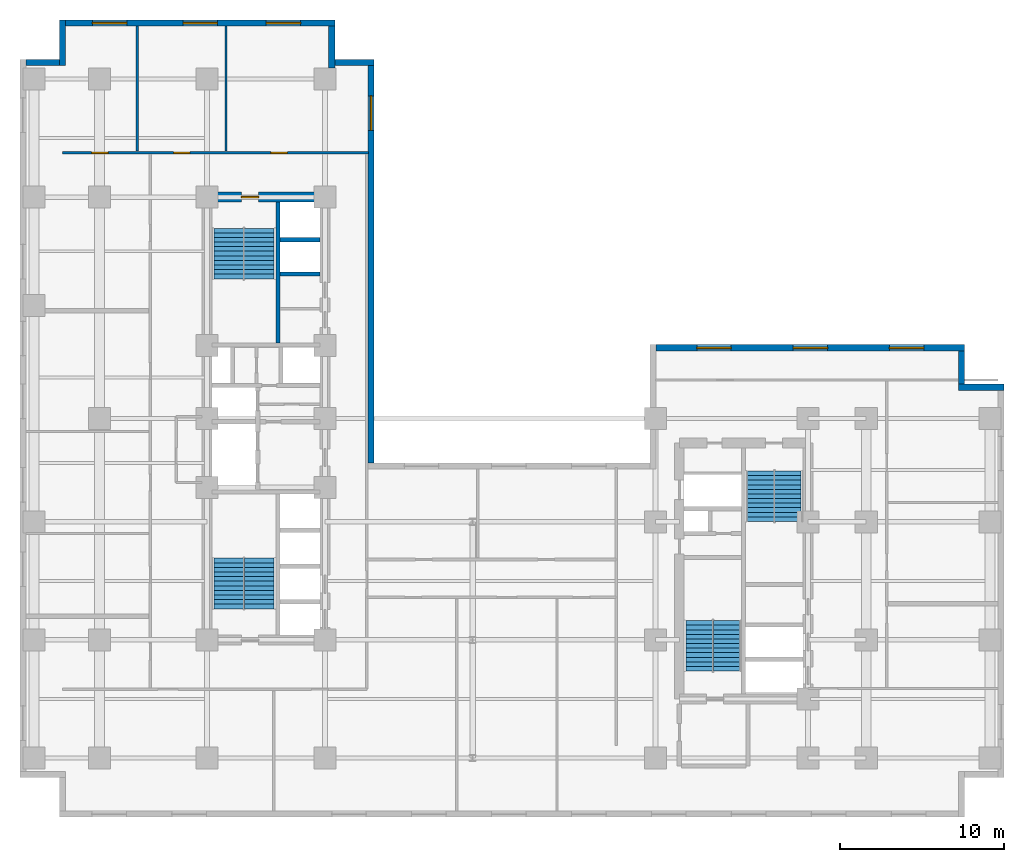
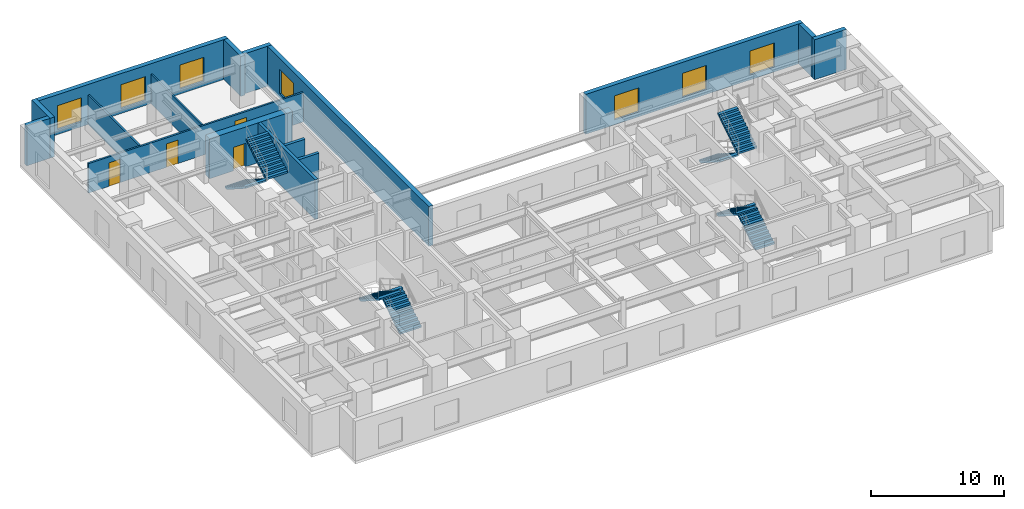
# One storey, part 6 of 9: 16 walls, 8 stair flights, 7 windows, 4 doors, 11 openings, 4 elements without a shape of their own.
"""IFC4 building model written with IfcOpenShell, lengths in metres."""

from ifc_helpers import new_model, entity, si_unit, converted_unit, direction, frame, origin_with_axes, origin_2d_with_axis, place, context, subcontext, project, spatial, polyline, rectangle, outline, extrude, material, layer, layer_set, type_object, element, fill, aggregate, save


model = new_model("IFC4")

# Units and contexts
model_context = context("Model", 3, precision=1e-05, world=origin_with_axes(), true_north=direction((0.0, 1.0)))
body_context = subcontext(model_context, "Body", "Model", "MODEL_VIEW")
ifc_project = project(units=[si_unit("LENGTHUNIT", "METRE"), si_unit("AREAUNIT", "SQUARE_METRE"), si_unit("VOLUMEUNIT", "CUBIC_METRE"), converted_unit("PLANEANGLEUNIT", "DEGREE", entity("IfcPlaneAngleMeasure", 0.017453292519943295), si_unit("PLANEANGLEUNIT", "RADIAN"), dimensions=[0, 0, 0, 0, 0, 0, 0]), si_unit("MASSUNIT", "GRAM", prefix="KILO"), si_unit("THERMODYNAMICTEMPERATUREUNIT", "KELVIN")], contexts=[model_context])

# Site, building, storey
site_placement = place(None, origin_with_axes())
site = spatial("IfcSite", under=ifc_project, at=site_placement, CompositionType="ELEMENT")
building_placement = place(site_placement, origin_with_axes())
building = spatial("IfcBuilding", under=site, at=building_placement, Name="Varnlund Millrace Tower", CompositionType="ELEMENT")
storey_placement = place(building_placement, frame((0.0, 0.0, 60.0), z_axis=(0.0, 0.0, 1.0), x_axis=(1.0, 0.0, 0.0)))
storey = spatial("IfcBuildingStorey", under=building, at=storey_placement, Name="L14", CompositionType="ELEMENT", Elevation=60.0)

# Wall, opening, door
ifc_material_1 = material(Name="Concrete C80/95", Category="concrete")
ifc_layer_1 = layer(ifc_material_1, 0.6, Name="Concrete C80/95")
ifc_layer_set_1 = layer_set([ifc_layer_1], Name="Concrete C80/95")
wall_type_1 = type_object("IfcWallType", Name="Type-CoreWall-Shear-600-C80", PredefinedType="SHEAR", material=ifc_layer_set_1)
wall_1_placement = place(storey_placement, frame((11.4, 37.8, 0.0), z_axis=(0.0, 0.0, 1.0), x_axis=(1.0, 0.0, 0.0)))
wall_1 = element("IfcWall", 1, at=wall_1_placement, inside=storey, type_object=wall_type_1, Name="Type-CoreWall-Shear-600-C80", PredefinedType="SHEAR", context=body_context, shape_type="SweptSolid", body=[
    extrude(outline(polyline([(0.0, -0.3), (7.2, -0.3), (7.2, 0.3), (0.0, 0.3), (0.0, -0.3)])), origin_with_axes(), (0.0, 0.0, 1.0), 3.66),
])
opening_1_placement = place(wall_1_placement, frame((2.625, 0.0, 0.0), z_axis=(0.0, 0.0, 1.0), x_axis=(1.0, 0.0, 0.0)))
opening_1 = element("IfcOpeningElement", 2, at=opening_1_placement, cuts=wall_1, Name="Opening L14:DR-STA2", PredefinedType="OPENING", context=body_context, shape_type="SweptSolid", body=[
    extrude(rectangle(XDim=1.05, YDim=0.62, at=origin_2d_with_axis()), origin_with_axes(), (0.0, 0.0, 1.0), 2.15),
])
ifc_material_2 = material(Name="Fire-rated hollow steel door", Category="steel")
door_type_1 = type_object("IfcDoorType", Name="Type-FireDoor-Stair-1050X2150", OperationType="NOTDEFINED", PredefinedType="DOOR", material=ifc_material_2)
door_1_placement = place(wall_1_placement, frame((2.625, 0.0, 0.0), z_axis=(0.0, 0.0, 1.0), x_axis=(1.0, 0.0, 0.0)))
door_1 = element("IfcDoor", 3, at=door_1_placement, inside=storey, type_object=door_type_1, Name="Type-FireDoor-Stair-1050X2150", OperationType="SINGLE_SWING_RIGHT", OverallHeight=2.15, OverallWidth=1.05, PredefinedType="DOOR", context=body_context, shape_type="SweptSolid", body=[
    extrude(rectangle(XDim=1.05, YDim=0.09, at=origin_2d_with_axis()), origin_with_axes(), (0.0, 0.0, 1.0), 2.15),
])
fill(opening_1, door_1)

# Wall, openings, windows
ifc_material_3 = material(Name="Precast concrete C50/60", Category="concrete")
ifc_layer_2 = layer(ifc_material_3, 0.38, Name="Precast concrete C50/60")
ifc_layer_set_2 = layer_set([ifc_layer_2], Name="Precast concrete C50/60")
wall_type_2 = type_object("IfcWallType", Name="Type-ExtWall-Precast-Tube-380", PredefinedType="SOLIDWALL", material=ifc_layer_set_2)
wall_2_placement = place(storey_placement, frame((38.78, 28.61, 0.0), z_axis=(0.0, 0.0, 1.0), x_axis=(1.0, 0.0, 0.0)))
wall_2 = element("IfcWall", 4, at=wall_2_placement, inside=storey, type_object=wall_type_2, Name="Type-ExtWall-Precast-Tube-380", PredefinedType="SOLIDWALL", context=body_context, shape_type="SweptSolid", body=[
    extrude(outline(polyline([(0.0, -0.19), (18.82, -0.19), (18.82, 0.19), (0.0, 0.19), (0.0, -0.19)])), origin_with_axes(), (0.0, 0.0, 1.0), 3.66),
])
opening_2_placement = place(wall_2_placement, frame((3.537, 0.0, 0.45), z_axis=(0.0, 0.0, 1.0), x_axis=(1.0, 0.0, 0.0)))
opening_2 = element("IfcOpeningElement", 5, at=opening_2_placement, cuts=wall_2, Name="Opening L14:WN-01", PredefinedType="OPENING", context=body_context, shape_type="SweptSolid", body=[
    extrude(rectangle(XDim=2.1, YDim=0.4, at=origin_2d_with_axis()), origin_with_axes(), (0.0, 0.0, 1.0), 2.2),
])
opening_3_placement = place(wall_2_placement, frame((9.41, 0.0, 0.45), z_axis=(0.0, 0.0, 1.0), x_axis=(1.0, 0.0, 0.0)))
opening_3 = element("IfcOpeningElement", 6, at=opening_3_placement, cuts=wall_2, Name="Opening L14:WN-02", PredefinedType="OPENING", context=body_context, shape_type="SweptSolid", body=[
    extrude(rectangle(XDim=2.1, YDim=0.4, at=origin_2d_with_axis()), origin_with_axes(), (0.0, 0.0, 1.0), 2.2),
])
opening_4_placement = place(wall_2_placement, frame((15.283, 0.0, 0.45), z_axis=(0.0, 0.0, 1.0), x_axis=(1.0, 0.0, 0.0)))
opening_4 = element("IfcOpeningElement", 7, at=opening_4_placement, cuts=wall_2, Name="Opening L14:WN-03", PredefinedType="OPENING", context=body_context, shape_type="SweptSolid", body=[
    extrude(rectangle(XDim=2.1, YDim=0.4, at=origin_2d_with_axis()), origin_with_axes(), (0.0, 0.0, 1.0), 2.2),
])
ifc_material_4 = material(Name="Argon low-e triple glazing in thermally broken bronze frame", Category="glass")
window_type = type_object("IfcWindowType", Name="Type-Window-Punched-2100X2200", PartitioningType="SINGLE_PANEL", PredefinedType="WINDOW", material=ifc_material_4)
window_1_placement = place(wall_2_placement, frame((3.537, 0.0, 0.45), z_axis=(0.0, 0.0, 1.0), x_axis=(1.0, 0.0, 0.0)))
window_1 = element("IfcWindow", 8, at=window_1_placement, inside=storey, type_object=window_type, Name="Type-Window-Punched-2100X2200", OverallHeight=2.2, OverallWidth=2.1, PredefinedType="WINDOW", context=body_context, shape_type="SweptSolid", body=[
    extrude(rectangle(XDim=2.1, YDim=0.09, at=origin_2d_with_axis()), origin_with_axes(), (0.0, 0.0, 1.0), 2.2),
])
fill(opening_2, window_1)
window_2_placement = place(wall_2_placement, frame((9.41, 0.0, 0.45), z_axis=(0.0, 0.0, 1.0), x_axis=(1.0, 0.0, 0.0)))
window_2 = element("IfcWindow", 9, at=window_2_placement, inside=storey, type_object=window_type, Name="Type-Window-Punched-2100X2200", OverallHeight=2.2, OverallWidth=2.1, PredefinedType="WINDOW", context=body_context, shape_type="SweptSolid", body=[
    extrude(rectangle(XDim=2.1, YDim=0.09, at=origin_2d_with_axis()), origin_with_axes(), (0.0, 0.0, 1.0), 2.2),
])
fill(opening_3, window_2)
window_3_placement = place(wall_2_placement, frame((15.283, 0.0, 0.45), z_axis=(0.0, 0.0, 1.0), x_axis=(1.0, 0.0, 0.0)))
window_3 = element("IfcWindow", 10, at=window_3_placement, inside=storey, type_object=window_type, Name="Type-Window-Punched-2100X2200", OverallHeight=2.2, OverallWidth=2.1, PredefinedType="WINDOW", context=body_context, shape_type="SweptSolid", body=[
    extrude(rectangle(XDim=2.1, YDim=0.09, at=origin_2d_with_axis()), origin_with_axes(), (0.0, 0.0, 1.0), 2.2),
])
fill(opening_4, window_3)

# Walls
wall_3_placement = place(storey_placement, frame((57.41, 28.42, 0.0), z_axis=(0.0, 0.0, 1.0), x_axis=(0.0, -1.0, 0.0)))
element("IfcWall", 11, at=wall_3_placement, inside=storey, type_object=wall_type_2, Name="Type-ExtWall-Precast-Tube-380", PredefinedType="SOLIDWALL", context=body_context, shape_type="SweptSolid", body=[
    extrude(outline(polyline([(0.0, -0.19), (2.02, -0.19), (2.02, 0.19), (0.0, 0.19), (0.0, -0.19)])), origin_with_axes(), (0.0, 0.0, 1.0), 3.66),
])
wall_4_placement = place(storey_placement, frame((57.22, 26.21, 0.0), z_axis=(0.0, 0.0, 1.0), x_axis=(1.0, 0.0, 0.0)))
element("IfcWall", 12, at=wall_4_placement, inside=storey, type_object=wall_type_2, Name="Type-ExtWall-Precast-Tube-380", PredefinedType="SOLIDWALL", context=body_context, shape_type="SweptSolid", body=[
    extrude(outline(polyline([(0.0, -0.19), (2.78, -0.19), (2.78, 0.19), (0.0, 0.19), (0.0, -0.19)])), origin_with_axes(), (0.0, 0.0, 1.0), 3.66),
])
wall_5_placement = place(storey_placement, frame((0.38, 46.01, 0.0), z_axis=(0.0, 0.0, 1.0), x_axis=(1.0, 0.0, 0.0)))
element("IfcWall", 13, at=wall_5_placement, inside=storey, type_object=wall_type_2, Name="Type-ExtWall-Precast-Tube-380", PredefinedType="SOLIDWALL", context=body_context, shape_type="SweptSolid", body=[
    extrude(outline(polyline([(0.0, -0.19), (2.02, -0.19), (2.02, 0.19), (0.0, 0.19), (0.0, -0.19)])), origin_with_axes(), (0.0, 0.0, 1.0), 3.66),
])
wall_6_placement = place(storey_placement, frame((2.59, 45.82, 0.0), z_axis=(0.0, 0.0, 1.0), x_axis=(0.0, 1.0, 0.0)))
element("IfcWall", 14, at=wall_6_placement, inside=storey, type_object=wall_type_2, Name="Type-ExtWall-Precast-Tube-380", PredefinedType="SOLIDWALL", context=body_context, shape_type="SweptSolid", body=[
    extrude(outline(polyline([(0.0, -0.19), (2.78, -0.19), (2.78, 0.19), (0.0, 0.19), (0.0, -0.19)])), origin_with_axes(), (0.0, 0.0, 1.0), 3.66),
])

# Wall, openings, windows
wall_7_placement = place(storey_placement, frame((2.78, 48.41, 0.0), z_axis=(0.0, 0.0, 1.0), x_axis=(1.0, 0.0, 0.0)))
wall_7 = element("IfcWall", 15, at=wall_7_placement, inside=storey, type_object=wall_type_2, Name="Type-ExtWall-Precast-Tube-380", PredefinedType="SOLIDWALL", context=body_context, shape_type="SweptSolid", body=[
    extrude(outline(polyline([(0.0, -0.19), (16.42, -0.19), (16.42, 0.19), (0.0, 0.19), (0.0, -0.19)])), origin_with_axes(), (0.0, 0.0, 1.0), 3.66),
])
opening_5_placement = place(wall_7_placement, frame((2.687, 0.0, 0.45), z_axis=(0.0, 0.0, 1.0), x_axis=(1.0, 0.0, 0.0)))
opening_5 = element("IfcOpeningElement", 16, at=opening_5_placement, cuts=wall_7, Name="Opening L14:WN-23", PredefinedType="OPENING", context=body_context, shape_type="SweptSolid", body=[
    extrude(rectangle(XDim=2.1, YDim=0.4, at=origin_2d_with_axis()), origin_with_axes(), (0.0, 0.0, 1.0), 2.2),
])
opening_6_placement = place(wall_7_placement, frame((8.21, 0.0, 0.45), z_axis=(0.0, 0.0, 1.0), x_axis=(1.0, 0.0, 0.0)))
opening_6 = element("IfcOpeningElement", 17, at=opening_6_placement, cuts=wall_7, Name="Opening L14:WN-24", PredefinedType="OPENING", context=body_context, shape_type="SweptSolid", body=[
    extrude(rectangle(XDim=2.1, YDim=0.4, at=origin_2d_with_axis()), origin_with_axes(), (0.0, 0.0, 1.0), 2.2),
])
opening_7_placement = place(wall_7_placement, frame((13.283, 0.0, 0.45), z_axis=(0.0, 0.0, 1.0), x_axis=(1.0, 0.0, 0.0)))
opening_7 = element("IfcOpeningElement", 18, at=opening_7_placement, cuts=wall_7, Name="Opening L14:WN-25", PredefinedType="OPENING", context=body_context, shape_type="SweptSolid", body=[
    extrude(rectangle(XDim=2.1, YDim=0.4, at=origin_2d_with_axis()), origin_with_axes(), (0.0, 0.0, 1.0), 2.2),
])
window_4_placement = place(wall_7_placement, frame((2.687, 0.0, 0.45), z_axis=(0.0, 0.0, 1.0), x_axis=(1.0, 0.0, 0.0)))
window_4 = element("IfcWindow", 19, at=window_4_placement, inside=storey, type_object=window_type, Name="Type-Window-Punched-2100X2200", OverallHeight=2.2, OverallWidth=2.1, PredefinedType="WINDOW", context=body_context, shape_type="SweptSolid", body=[
    extrude(rectangle(XDim=2.1, YDim=0.09, at=origin_2d_with_axis()), origin_with_axes(), (0.0, 0.0, 1.0), 2.2),
])
fill(opening_5, window_4)
window_5_placement = place(wall_7_placement, frame((8.21, 0.0, 0.45), z_axis=(0.0, 0.0, 1.0), x_axis=(1.0, 0.0, 0.0)))
window_5 = element("IfcWindow", 20, at=window_5_placement, inside=storey, type_object=window_type, Name="Type-Window-Punched-2100X2200", OverallHeight=2.2, OverallWidth=2.1, PredefinedType="WINDOW", context=body_context, shape_type="SweptSolid", body=[
    extrude(rectangle(XDim=2.1, YDim=0.09, at=origin_2d_with_axis()), origin_with_axes(), (0.0, 0.0, 1.0), 2.2),
])
fill(opening_6, window_5)
window_6_placement = place(wall_7_placement, frame((13.283, 0.0, 0.45), z_axis=(0.0, 0.0, 1.0), x_axis=(1.0, 0.0, 0.0)))
window_6 = element("IfcWindow", 21, at=window_6_placement, inside=storey, type_object=window_type, Name="Type-Window-Punched-2100X2200", OverallHeight=2.2, OverallWidth=2.1, PredefinedType="WINDOW", context=body_context, shape_type="SweptSolid", body=[
    extrude(rectangle(XDim=2.1, YDim=0.09, at=origin_2d_with_axis()), origin_with_axes(), (0.0, 0.0, 1.0), 2.2),
])
fill(opening_7, window_6)

# Walls
wall_8_placement = place(storey_placement, frame((19.01, 48.22, 0.0), z_axis=(0.0, 0.0, 1.0), x_axis=(0.0, -1.0, 0.0)))
element("IfcWall", 22, at=wall_8_placement, inside=storey, type_object=wall_type_2, Name="Type-ExtWall-Precast-Tube-380", PredefinedType="SOLIDWALL", context=body_context, shape_type="SweptSolid", body=[
    extrude(outline(polyline([(0.0, -0.19), (2.56, -0.19), (2.56, 0.19), (0.0, 0.19), (0.0, -0.19)])), origin_with_axes(), (0.0, 0.0, 1.0), 3.66),
])
wall_9_placement = place(storey_placement, frame((18.82, 46.01, 0.0), z_axis=(0.0, 0.0, 1.0), x_axis=(1.0, 0.0, 0.0)))
element("IfcWall", 23, at=wall_9_placement, inside=storey, type_object=wall_type_2, Name="Type-ExtWall-Precast-Tube-380", PredefinedType="SOLIDWALL", context=body_context, shape_type="SweptSolid", body=[
    extrude(outline(polyline([(0.0, -0.19), (2.78, -0.19), (2.78, 0.19), (0.0, 0.19), (0.0, -0.19)])), origin_with_axes(), (0.0, 0.0, 1.0), 3.66),
])

# Wall, opening, window
wall_10_placement = place(storey_placement, frame((21.41, 45.82, 0.0), z_axis=(0.0, 0.0, 1.0), x_axis=(0.0, -1.0, 0.0)))
wall_10 = element("IfcWall", 24, at=wall_10_placement, inside=storey, type_object=wall_type_2, Name="Type-ExtWall-Precast-Tube-380", PredefinedType="SOLIDWALL", context=body_context, shape_type="SweptSolid", body=[
    extrude(outline(polyline([(0.0, -0.19), (24.22, -0.19), (24.22, 0.19), (0.0, 0.19), (0.0, -0.19)])), origin_with_axes(), (0.0, 0.0, 1.0), 3.66),
])
opening_8_placement = place(wall_10_placement, frame((2.902, 0.0, 0.45), z_axis=(0.0, 0.0, 1.0), x_axis=(1.0, 0.0, 0.0)))
opening_8 = element("IfcOpeningElement", 25, at=opening_8_placement, cuts=wall_10, Name="Opening L14:WN-26", PredefinedType="OPENING", context=body_context, shape_type="SweptSolid", body=[
    extrude(rectangle(XDim=2.1, YDim=0.4, at=origin_2d_with_axis()), origin_with_axes(), (0.0, 0.0, 1.0), 2.2),
])
window_7_placement = place(wall_10_placement, frame((2.902, 0.0, 0.45), z_axis=(0.0, 0.0, 1.0), x_axis=(1.0, 0.0, 0.0)))
window_7 = element("IfcWindow", 26, at=window_7_placement, inside=storey, type_object=window_type, Name="Type-Window-Punched-2100X2200", OverallHeight=2.2, OverallWidth=2.1, PredefinedType="WINDOW", context=body_context, shape_type="SweptSolid", body=[
    extrude(rectangle(XDim=2.1, YDim=0.09, at=origin_2d_with_axis()), origin_with_axes(), (0.0, 0.0, 1.0), 2.2),
])
fill(opening_8, window_7)

# Wall, openings, doors
ifc_material_5 = material(Name="Fire-rated gypsum board on cold-formed steel framing", Category="steel")
ifc_layer_3 = layer(ifc_material_5, 0.16, Name="Fire-rated gypsum board on cold-formed steel framing")
ifc_layer_set_3 = layer_set([ifc_layer_3], Name="Fire-rated gypsum board on cold-formed steel framing")
wall_type_3 = type_object("IfcWallType", Name="Type-Partition-Corridor-160", PredefinedType="PARTITIONING", material=ifc_layer_set_3)
wall_11_placement = place(storey_placement, frame((2.6, 40.5, 0.0), z_axis=(0.0, 0.0, 1.0), x_axis=(1.0, 0.0, 0.0)))
wall_11 = element("IfcWall", 27, at=wall_11_placement, inside=storey, type_object=wall_type_3, Name="Type-Partition-Corridor-160", PredefinedType="PARTITIONING", context=body_context, shape_type="SweptSolid", body=[
    extrude(outline(polyline([(0.0, -0.08), (18.65, -0.08), (18.65, 0.08), (0.0, 0.08), (0.0, -0.08)])), origin_with_axes(), (0.0, 0.0, 1.0), 2.7),
])
opening_9_placement = place(wall_11_placement, frame((2.2685, 0.0, 0.0), z_axis=(0.0, 0.0, 1.0), x_axis=(1.0, 0.0, 0.0)))
opening_9 = element("IfcOpeningElement", 28, at=opening_9_placement, cuts=wall_11, Name="Opening L14:DR-WAN-01", PredefinedType="OPENING", context=body_context, shape_type="SweptSolid", body=[
    extrude(rectangle(XDim=1.0, YDim=0.18, at=origin_2d_with_axis()), origin_with_axes(), (0.0, 0.0, 1.0), 2.15),
])
opening_10_placement = place(wall_11_placement, frame((7.2605, 0.0, 0.0), z_axis=(0.0, 0.0, 1.0), x_axis=(1.0, 0.0, 0.0)))
opening_10 = element("IfcOpeningElement", 29, at=opening_10_placement, cuts=wall_11, Name="Opening L14:DR-WAN-02", PredefinedType="OPENING", context=body_context, shape_type="SweptSolid", body=[
    extrude(rectangle(XDim=1.0, YDim=0.18, at=origin_2d_with_axis()), origin_with_axes(), (0.0, 0.0, 1.0), 2.15),
])
opening_11_placement = place(wall_11_placement, frame((13.197, 0.0, 0.0), z_axis=(0.0, 0.0, 1.0), x_axis=(1.0, 0.0, 0.0)))
opening_11 = element("IfcOpeningElement", 30, at=opening_11_placement, cuts=wall_11, Name="Opening L14:DR-WAN-03", PredefinedType="OPENING", context=body_context, shape_type="SweptSolid", body=[
    extrude(rectangle(XDim=1.0, YDim=0.18, at=origin_2d_with_axis()), origin_with_axes(), (0.0, 0.0, 1.0), 2.15),
])
ifc_material_6 = material(Name="Solid-core white oak and bronze frame door")
door_type_2 = type_object("IfcDoorType", Name="Type-IntDoor-Office-1000X2150", OperationType="NOTDEFINED", PredefinedType="DOOR", material=ifc_material_6)
door_2_placement = place(wall_11_placement, frame((2.2685, 0.0, 0.0), z_axis=(0.0, 0.0, 1.0), x_axis=(1.0, 0.0, 0.0)))
door_2 = element("IfcDoor", 31, at=door_2_placement, inside=storey, type_object=door_type_2, Name="Type-IntDoor-Office-1000X2150", OperationType="SINGLE_SWING_LEFT", OverallHeight=2.15, OverallWidth=1.0, PredefinedType="DOOR", context=body_context, shape_type="SweptSolid", body=[
    extrude(rectangle(XDim=1.0, YDim=0.09, at=origin_2d_with_axis()), origin_with_axes(), (0.0, 0.0, 1.0), 2.15),
])
fill(opening_9, door_2)
door_3_placement = place(wall_11_placement, frame((7.2605, 0.0, 0.0), z_axis=(0.0, 0.0, 1.0), x_axis=(1.0, 0.0, 0.0)))
door_3 = element("IfcDoor", 32, at=door_3_placement, inside=storey, type_object=door_type_2, Name="Type-IntDoor-Office-1000X2150", OperationType="SINGLE_SWING_RIGHT", OverallHeight=2.15, OverallWidth=1.0, PredefinedType="DOOR", context=body_context, shape_type="SweptSolid", body=[
    extrude(rectangle(XDim=1.0, YDim=0.09, at=origin_2d_with_axis()), origin_with_axes(), (0.0, 0.0, 1.0), 2.15),
])
fill(opening_10, door_3)
door_4_placement = place(wall_11_placement, frame((13.197, 0.0, 0.0), z_axis=(0.0, 0.0, 1.0), x_axis=(1.0, 0.0, 0.0)))
door_4 = element("IfcDoor", 33, at=door_4_placement, inside=storey, type_object=door_type_2, Name="Type-IntDoor-Office-1000X2150", OperationType="SINGLE_SWING_LEFT", OverallHeight=2.15, OverallWidth=1.0, PredefinedType="DOOR", context=body_context, shape_type="SweptSolid", body=[
    extrude(rectangle(XDim=1.0, YDim=0.09, at=origin_2d_with_axis()), origin_with_axes(), (0.0, 0.0, 1.0), 2.15),
])
fill(opening_11, door_4)

# Walls
ifc_material_7 = material(Name="Acoustic STC-50 gypsum board partition", Category="gypsum")
ifc_layer_4 = layer(ifc_material_7, 0.15, Name="Acoustic STC-50 gypsum board partition")
ifc_layer_set_4 = layer_set([ifc_layer_4], Name="Acoustic STC-50 gypsum board partition")
wall_type_4 = type_object("IfcWallType", Name="Type-Partition-Demising-150", PredefinedType="PARTITIONING", material=ifc_layer_set_4)
wall_12_placement = place(storey_placement, frame((7.147, 40.6, 0.0), z_axis=(0.0, 0.0, 1.0), x_axis=(0.0, 1.0, 0.0)))
element("IfcWall", 34, at=wall_12_placement, inside=storey, type_object=wall_type_4, Name="Type-Partition-Demising-150", PredefinedType="PARTITIONING", context=body_context, shape_type="SweptSolid", body=[
    extrude(outline(polyline([(0.0, -0.075), (7.64, -0.075), (7.64, 0.075), (0.0, 0.075), (0.0, -0.075)])), origin_with_axes(), (0.0, 0.0, 1.0), 2.7),
])
ifc_material_8 = material(Name="Gypsum board tenant partition", Category="gypsum")
ifc_layer_5 = layer(ifc_material_8, 0.125, Name="Gypsum board tenant partition")
ifc_layer_set_5 = layer_set([ifc_layer_5], Name="Gypsum board tenant partition")
wall_type_5 = type_object("IfcWallType", Name="Type-Partition-Tenant-125", PredefinedType="PARTITIONING", material=ifc_layer_set_5)
wall_13_placement = place(storey_placement, frame((12.574, 40.6, 0.0), z_axis=(0.0, 0.0, 1.0), x_axis=(0.0, 1.0, 0.0)))
element("IfcWall", 35, at=wall_13_placement, inside=storey, type_object=wall_type_5, Name="Type-Partition-Tenant-125", PredefinedType="PARTITIONING", context=body_context, shape_type="SweptSolid", body=[
    extrude(outline(polyline([(0.0, -0.0625), (7.64, -0.0625), (7.64, 0.0625), (0.0, 0.0625), (0.0, -0.0625)])), origin_with_axes(), (0.0, 0.0, 1.0), 2.7),
])
ifc_material_9 = material(Name="Concrete C60/75", Category="concrete")
ifc_layer_6 = layer(ifc_material_9, 0.25, Name="Concrete C60/75")
ifc_layer_set_6 = layer_set([ifc_layer_6], Name="Concrete C60/75")
wall_type_6 = type_object("IfcWallType", Name="Type-ShaftWall-Fire-250", PredefinedType="SOLIDWALL", material=ifc_layer_set_6)
for number, where, z_axis, x_axis, name in (
    (36, (15.84, 33.1, 0.0), (0.0, 0.0, 1.0), (1.0, 0.0, 0.0), "Type-ShaftWall-Fire-250"),
    (37, (15.84, 35.2, 0.0), (0.0, 0.0, 1.0), (1.0, 0.0, 0.0), "Type-ShaftWall-Fire-250"),
):
    element("IfcWall", number, at=place(storey_placement, frame(where, z_axis=z_axis, x_axis=x_axis)), inside=storey, type_object=wall_type_6, Name=name, PredefinedType="SOLIDWALL", context=body_context, shape_type="SweptSolid", body=[
        extrude(outline(polyline([(0.0, -0.125), (2.46, -0.125), (2.46, 0.125), (0.0, 0.125), (0.0, -0.125)])), origin_with_axes(), (0.0, 0.0, 1.0), 2.7),
    ])
wall_type_7 = type_object("IfcWallType", Name="Type-StairWall-Shear-250", PredefinedType="SHEAR", material=ifc_layer_set_6)
wall_14_placement = place(storey_placement, frame((15.725, 28.9, 0.0), z_axis=(0.0, 0.0, 1.0), x_axis=(0.0, 1.0, 0.0)))
element("IfcWall", 38, at=wall_14_placement, inside=storey, type_object=wall_type_7, Name="Type-StairWall-Shear-250", PredefinedType="SHEAR", context=body_context, shape_type="SweptSolid", body=[
    extrude(outline(polyline([(0.0, -0.125), (8.6, -0.125), (8.6, 0.125), (0.0, 0.125), (0.0, -0.125)])), origin_with_axes(), (0.0, 0.0, 1.0), 3.66),
])

# Stair, stair flights
ifc_material_10 = material(Name="Concrete C50/60", Category="concrete")
stair_type_1 = type_object("IfcStairType", Name="Type-Stair-Dogleg-165-390", PredefinedType="HALF_TURN_STAIR", material=ifc_material_10)
stair_1_placement = place(storey_placement, origin_with_axes())
stair_1 = element("IfcStair", 39, at=stair_1_placement, inside=storey, type_object=stair_type_1, Name="Type-Stair-Dogleg-165-390", PredefinedType="HALF_TURN_STAIR")
stair_flight_type_1 = type_object("IfcStairFlightType", Name="Type-Dogleg-Run-165-390", PredefinedType="STRAIGHT", material=ifc_material_3)
stair_flight_1_placement = place(storey_placement, frame((42.225, 8.9, 0.0), z_axis=(1.0, 0.0, 0.0), x_axis=(0.0, 1.0, 0.0)))
stair_flight_1 = element("IfcStairFlight", 40, at=stair_flight_1_placement, type_object=stair_flight_type_1, Name="ST-B1 flight 1", NumberOfRisers=11, NumberOfTreads=11, PredefinedType="STRAIGHT", RiserHeight=0.177273, TreadLength=0.28, context=body_context, shape_type="SweptSolid", body=[
    extrude(outline(polyline([(0.0, 0.0), (0.0, 0.177273), (0.28, 0.177273), (0.28, 0.354545), (0.56, 0.354545), (0.56, 0.531818), (0.84, 0.531818), (0.84, 0.709091), (1.12, 0.709091), (1.12, 0.886364), (1.4, 0.886364), (1.4, 1.063636), (1.68, 1.063636), (1.68, 1.240909), (1.96, 1.240909), (1.96, 1.418182), (2.24, 1.418182), (2.24, 1.595454), (2.52, 1.595454), (2.52, 1.772727), (2.8, 1.772727), (2.8, 1.95), (3.08, 1.95), (3.08, 1.8), (0.28, 0.0), (0.0, 0.0)])), origin_with_axes(), (0.0, 0.0, 1.0), 1.65),
])
stair_flight_2_placement = place(storey_placement, frame((42.275, 11.98, 1.95), z_axis=(-1.0, 0.0, 0.0), x_axis=(0.0, -1.0, 0.0)))
stair_flight_2 = element("IfcStairFlight", 41, at=stair_flight_2_placement, type_object=stair_flight_type_1, Name="ST-B1 flight 2", NumberOfRisers=11, NumberOfTreads=11, PredefinedType="STRAIGHT", RiserHeight=0.177273, TreadLength=0.28, context=body_context, shape_type="SweptSolid", body=[
    extrude(outline(polyline([(0.0, 0.0), (0.0, 0.177273), (0.28, 0.177273), (0.28, 0.354545), (0.56, 0.354545), (0.56, 0.531818), (0.84, 0.531818), (0.84, 0.709091), (1.12, 0.709091), (1.12, 0.886364), (1.4, 0.886364), (1.4, 1.063636), (1.68, 1.063636), (1.68, 1.240909), (1.96, 1.240909), (1.96, 1.418182), (2.24, 1.418182), (2.24, 1.595454), (2.52, 1.595454), (2.52, 1.772727), (2.8, 1.772727), (2.8, 1.95), (3.08, 1.95), (3.08, 1.8), (0.28, 0.0), (0.0, 0.0)])), origin_with_axes(), (0.0, 0.0, 1.0), 1.65),
])
aggregate(stair_1, [stair_flight_1, stair_flight_2])

stair_2_placement = place(storey_placement, origin_with_axes())
stair_2 = element("IfcStair", 42, at=stair_2_placement, inside=storey, type_object=stair_type_1, Name="Type-Stair-Dogleg-165-390", PredefinedType="HALF_TURN_STAIR")
stair_flight_3_placement = place(storey_placement, frame((46.025, 21.1, 0.0), z_axis=(-1.0, 0.0, 0.0), x_axis=(0.0, -1.0, 0.0)))
stair_flight_3 = element("IfcStairFlight", 43, at=stair_flight_3_placement, type_object=stair_flight_type_1, Name="ST-B2 flight 1", NumberOfRisers=11, NumberOfTreads=11, PredefinedType="STRAIGHT", RiserHeight=0.177273, TreadLength=0.28, context=body_context, shape_type="SweptSolid", body=[
    extrude(outline(polyline([(0.0, 0.0), (0.0, 0.177273), (0.28, 0.177273), (0.28, 0.354545), (0.56, 0.354545), (0.56, 0.531818), (0.84, 0.531818), (0.84, 0.709091), (1.12, 0.709091), (1.12, 0.886364), (1.4, 0.886364), (1.4, 1.063636), (1.68, 1.063636), (1.68, 1.240909), (1.96, 1.240909), (1.96, 1.418182), (2.24, 1.418182), (2.24, 1.595454), (2.52, 1.595454), (2.52, 1.772727), (2.8, 1.772727), (2.8, 1.95), (3.08, 1.95), (3.08, 1.8), (0.28, 0.0), (0.0, 0.0)])), origin_with_axes(), (0.0, 0.0, 1.0), 1.65),
])
stair_flight_4_placement = place(storey_placement, frame((45.975, 18.02, 1.95), z_axis=(1.0, 0.0, 0.0), x_axis=(0.0, 1.0, 0.0)))
stair_flight_4 = element("IfcStairFlight", 44, at=stair_flight_4_placement, type_object=stair_flight_type_1, Name="ST-B2 flight 2", NumberOfRisers=11, NumberOfTreads=11, PredefinedType="STRAIGHT", RiserHeight=0.177273, TreadLength=0.28, context=body_context, shape_type="SweptSolid", body=[
    extrude(outline(polyline([(0.0, 0.0), (0.0, 0.177273), (0.28, 0.177273), (0.28, 0.354545), (0.56, 0.354545), (0.56, 0.531818), (0.84, 0.531818), (0.84, 0.709091), (1.12, 0.709091), (1.12, 0.886364), (1.4, 0.886364), (1.4, 1.063636), (1.68, 1.063636), (1.68, 1.240909), (1.96, 1.240909), (1.96, 1.418182), (2.24, 1.418182), (2.24, 1.595454), (2.52, 1.595454), (2.52, 1.772727), (2.8, 1.772727), (2.8, 1.95), (3.08, 1.95), (3.08, 1.8), (0.28, 0.0), (0.0, 0.0)])), origin_with_axes(), (0.0, 0.0, 1.0), 1.65),
])
aggregate(stair_2, [stair_flight_3, stair_flight_4])

stair_type_2 = type_object("IfcStairType", Name="Type-Stair-Dogleg-185-390", PredefinedType="HALF_TURN_STAIR", material=ifc_material_10)
stair_3_placement = place(storey_placement, origin_with_axes())
stair_3 = element("IfcStair", 45, at=stair_3_placement, inside=storey, type_object=stair_type_2, Name="Type-Stair-Dogleg-185-390", PredefinedType="HALF_TURN_STAIR")
stair_flight_type_2 = type_object("IfcStairFlightType", Name="Type-Dogleg-Run-185-390", PredefinedType="STRAIGHT", material=ifc_material_3)
stair_flight_5_placement = place(storey_placement, frame((13.625, 12.7, 0.0), z_axis=(1.0, 0.0, 0.0), x_axis=(0.0, 1.0, 0.0)))
stair_flight_5 = element("IfcStairFlight", 46, at=stair_flight_5_placement, type_object=stair_flight_type_2, Name="ST-A1 flight 1", NumberOfRisers=11, NumberOfTreads=11, PredefinedType="STRAIGHT", RiserHeight=0.177273, TreadLength=0.28, context=body_context, shape_type="SweptSolid", body=[
    extrude(outline(polyline([(0.0, 0.0), (0.0, 0.177273), (0.28, 0.177273), (0.28, 0.354545), (0.56, 0.354545), (0.56, 0.531818), (0.84, 0.531818), (0.84, 0.709091), (1.12, 0.709091), (1.12, 0.886364), (1.4, 0.886364), (1.4, 1.063636), (1.68, 1.063636), (1.68, 1.240909), (1.96, 1.240909), (1.96, 1.418182), (2.24, 1.418182), (2.24, 1.595454), (2.52, 1.595454), (2.52, 1.772727), (2.8, 1.772727), (2.8, 1.95), (3.08, 1.95), (3.08, 1.8), (0.28, 0.0), (0.0, 0.0)])), origin_with_axes(), (0.0, 0.0, 1.0), 1.85),
])
stair_flight_6_placement = place(storey_placement, frame((13.675, 15.78, 1.95), z_axis=(-1.0, 0.0, 0.0), x_axis=(0.0, -1.0, 0.0)))
stair_flight_6 = element("IfcStairFlight", 47, at=stair_flight_6_placement, type_object=stair_flight_type_2, Name="ST-A1 flight 2", NumberOfRisers=11, NumberOfTreads=11, PredefinedType="STRAIGHT", RiserHeight=0.177273, TreadLength=0.28, context=body_context, shape_type="SweptSolid", body=[
    extrude(outline(polyline([(0.0, 0.0), (0.0, 0.177273), (0.28, 0.177273), (0.28, 0.354545), (0.56, 0.354545), (0.56, 0.531818), (0.84, 0.531818), (0.84, 0.709091), (1.12, 0.709091), (1.12, 0.886364), (1.4, 0.886364), (1.4, 1.063636), (1.68, 1.063636), (1.68, 1.240909), (1.96, 1.240909), (1.96, 1.418182), (2.24, 1.418182), (2.24, 1.595454), (2.52, 1.595454), (2.52, 1.772727), (2.8, 1.772727), (2.8, 1.95), (3.08, 1.95), (3.08, 1.8), (0.28, 0.0), (0.0, 0.0)])), origin_with_axes(), (0.0, 0.0, 1.0), 1.85),
])
aggregate(stair_3, [stair_flight_5, stair_flight_6])

stair_4_placement = place(storey_placement, origin_with_axes())
stair_4 = element("IfcStair", 48, at=stair_4_placement, inside=storey, type_object=stair_type_2, Name="Type-Stair-Dogleg-185-390", PredefinedType="HALF_TURN_STAIR")
stair_flight_7_placement = place(storey_placement, frame((13.675, 35.9, 0.0), z_axis=(-1.0, 0.0, 0.0), x_axis=(0.0, -1.0, 0.0)))
stair_flight_7 = element("IfcStairFlight", 49, at=stair_flight_7_placement, type_object=stair_flight_type_2, Name="ST-A2 flight 1", NumberOfRisers=11, NumberOfTreads=11, PredefinedType="STRAIGHT", RiserHeight=0.177273, TreadLength=0.28, context=body_context, shape_type="SweptSolid", body=[
    extrude(outline(polyline([(0.0, 0.0), (0.0, 0.177273), (0.28, 0.177273), (0.28, 0.354545), (0.56, 0.354545), (0.56, 0.531818), (0.84, 0.531818), (0.84, 0.709091), (1.12, 0.709091), (1.12, 0.886364), (1.4, 0.886364), (1.4, 1.063636), (1.68, 1.063636), (1.68, 1.240909), (1.96, 1.240909), (1.96, 1.418182), (2.24, 1.418182), (2.24, 1.595454), (2.52, 1.595454), (2.52, 1.772727), (2.8, 1.772727), (2.8, 1.95), (3.08, 1.95), (3.08, 1.8), (0.28, 0.0), (0.0, 0.0)])), origin_with_axes(), (0.0, 0.0, 1.0), 1.85),
])
stair_flight_8_placement = place(storey_placement, frame((13.625, 32.82, 1.95), z_axis=(1.0, 0.0, 0.0), x_axis=(0.0, 1.0, 0.0)))
stair_flight_8 = element("IfcStairFlight", 50, at=stair_flight_8_placement, type_object=stair_flight_type_2, Name="ST-A2 flight 2", NumberOfRisers=11, NumberOfTreads=11, PredefinedType="STRAIGHT", RiserHeight=0.177273, TreadLength=0.28, context=body_context, shape_type="SweptSolid", body=[
    extrude(outline(polyline([(0.0, 0.0), (0.0, 0.177273), (0.28, 0.177273), (0.28, 0.354545), (0.56, 0.354545), (0.56, 0.531818), (0.84, 0.531818), (0.84, 0.709091), (1.12, 0.709091), (1.12, 0.886364), (1.4, 0.886364), (1.4, 1.063636), (1.68, 1.063636), (1.68, 1.240909), (1.96, 1.240909), (1.96, 1.418182), (2.24, 1.418182), (2.24, 1.595454), (2.52, 1.595454), (2.52, 1.772727), (2.8, 1.772727), (2.8, 1.95), (3.08, 1.95), (3.08, 1.8), (0.28, 0.0), (0.0, 0.0)])), origin_with_axes(), (0.0, 0.0, 1.0), 1.85),
])
aggregate(stair_4, [stair_flight_7, stair_flight_8])

save(model, "model.ifc")
